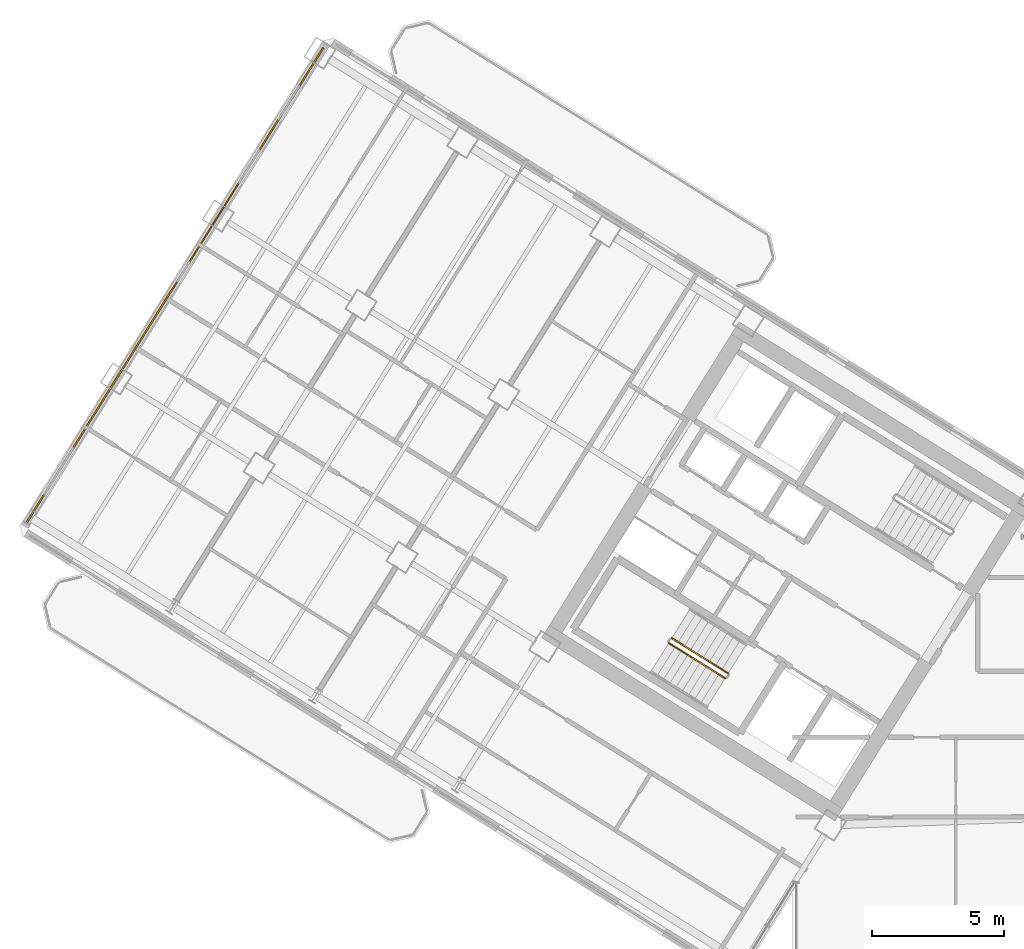
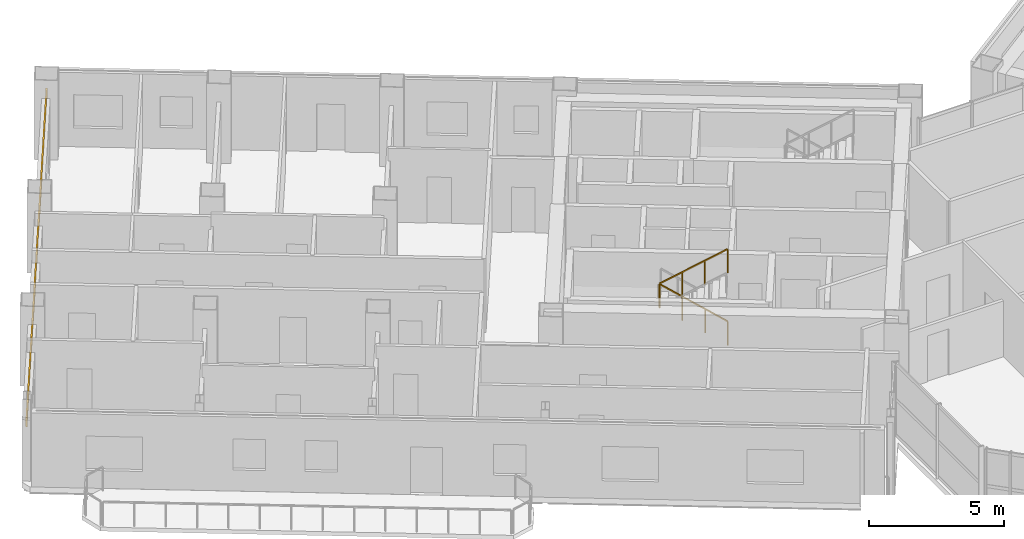
# One storey, part 24 of 29: 2 railings, 1 covering.
"""IFC4 building model written with IfcOpenShell, lengths in metres."""

import ifcopenshell
import ifcopenshell.guid

model = None  # the IFC model being written
_history = None  # IfcOwnerHistory: only IFC2X3 demands one
_inside = {}  # id of a spatial element -> (the spatial element, [elements in it])
_under = {}  # id of a project, library or spatial element -> (it, [spatial elements below it])
_declared = {}  # id of a project -> (the project, [libraries it declares])
_typed = {}  # id of a type object -> (the type object, [elements of that type])
_made_of = {}  # id of a material, layer set ... -> (it, [elements and type objects made of it])


def new_model(schema):
    """Start an empty IFC model of exactly this schema.

    Asked for "IFC4X3", IfcOpenShell would pick the latest addendum, in which some entities
    have other attributes; the version numbers below select the first issue.
    IFC2X3 requires an IfcOwnerHistory on every rooted entity: one is made here for all.
    """
    global model, _history
    if schema == "IFC4X3":
        model = ifcopenshell.file(schema_version=(4, 3, 0, 0))
    else:
        model = ifcopenshell.file(schema=schema)
    _inside.clear()
    _under.clear()
    _declared.clear()
    _typed.clear()
    _made_of.clear()
    _history = None
    if model.schema == "IFC2X3":
        org = make("IfcOrganization", Name="unknown")
        user = make(
            "IfcPersonAndOrganization",
            ThePerson=make("IfcPerson", FamilyName="unknown"),
            TheOrganization=org,
        )
        app = make(
            "IfcApplication",
            ApplicationDeveloper=org,
            Version="unknown",
            ApplicationFullName="unknown",
            ApplicationIdentifier="unknown",
        )
        _history = make(
            "IfcOwnerHistory",
            OwningUser=user,
            OwningApplication=app,
            ChangeAction="ADDED",
            CreationDate=0,
        )
    return model


def make(cls, **values):
    """One entity of the class cls with the attributes given. An attribute that is None is left unset."""
    return model.create_entity(
        cls, **{name: value for name, value in values.items() if value is not None}
    )


def rooted(cls, **values):
    """An entity with a GlobalId (a new one), such as an element, a storey or a relation."""
    return make(cls, GlobalId=ifcopenshell.guid.new(), OwnerHistory=_history, **values)


def si_unit(unit_type, name, prefix=None):
    """IfcSIUnit, for example si_unit("LENGTHUNIT", "METRE", prefix="MILLI")."""
    return make("IfcSIUnit", UnitType=unit_type, Prefix=prefix, Name=name)


def assignment(units):
    """IfcUnitAssignment: the units of a project."""
    return None if units is None else make("IfcUnitAssignment", Units=units)


def point(xyz):
    """IfcCartesianPoint."""
    return None if xyz is None else make("IfcCartesianPoint", Coordinates=xyz)


def direction(xyz):
    """IfcDirection."""
    return None if xyz is None else make("IfcDirection", DirectionRatios=xyz)


def frame(location, z_axis=None, x_axis=None):
    """IfcAxis2Placement3D, a coordinate frame: its origin and axes. An axis left out is left unset."""
    return make(
        "IfcAxis2Placement3D",
        Location=point(location),
        Axis=direction(z_axis),
        RefDirection=direction(x_axis),
    )


def frame_2d(location, x_axis=None):
    """IfcAxis2Placement2D, a coordinate frame in the plane: its origin and x axis."""
    return make(
        "IfcAxis2Placement2D", Location=point(location), RefDirection=direction(x_axis)
    )


def origin():
    """The frame at (0, 0, 0) with its axes left unset."""
    return frame((0.0, 0.0, 0.0))


def origin_2d():
    """The frame at (0, 0) in the plane with its x axis left unset."""
    return frame_2d((0.0, 0.0))


def place(relative_to, where):
    """IfcLocalPlacement: puts the frame where relative to a parent placement (None: the world)."""
    return make(
        "IfcLocalPlacement", PlacementRelTo=relative_to, RelativePlacement=where
    )


def context(
    kind, dimensions, precision=None, world=None, true_north=None, identifier=None
):
    """IfcGeometricRepresentationContext, for example the 3D "Model" context."""
    return make(
        "IfcGeometricRepresentationContext",
        ContextIdentifier=identifier,
        ContextType=kind,
        CoordinateSpaceDimension=dimensions,
        Precision=precision,
        WorldCoordinateSystem=world,
        TrueNorth=true_north,
    )


def subcontext(parent, identifier, kind, view, scale=None):
    """IfcGeometricRepresentationSubContext, for example "Body" below "Model"."""
    return make(
        "IfcGeometricRepresentationSubContext",
        ContextIdentifier=identifier,
        ContextType=kind,
        ParentContext=parent,
        TargetScale=scale,
        TargetView=view,
    )


def project(units=None, contexts=None):
    """IfcProject with its units and contexts."""
    return rooted(
        "IfcProject",
        Name="project",
        RepresentationContexts=contexts,
        UnitsInContext=assignment(units),
    )


def spatial(cls, under=None, at=None, **own):
    """A site, building, storey or space (cls), placed at a placement, below another one or the project."""
    s = rooted(cls, ObjectPlacement=at, **own)
    if under is not None:
        _under.setdefault(under.id(), (under, []))[1].append(s)
    return s


def profile(cls, at=None, kind="AREA", **sizes):
    """A parametric profile (cls). Its sizes go by their IFC names, for example OverallWidth=200.0."""
    return make(cls, ProfileType=kind, Position=at, **sizes)


def rectangle(**sizes):
    """IfcRectangleProfileDef."""
    return profile("IfcRectangleProfileDef", **sizes)


def extrude(swept, where, along, depth):
    """IfcExtrudedAreaSolid: the profile swept, set in the frame where, extruded along a direction by depth."""
    return make(
        "IfcExtrudedAreaSolid",
        SweptArea=swept,
        Position=where,
        ExtrudedDirection=direction(along),
        Depth=depth,
    )


def shape(context_of_items, identifier, shape_type, items):
    """IfcShapeRepresentation: the items that make up one representation, for example the "Body"."""
    return make(
        "IfcShapeRepresentation",
        ContextOfItems=context_of_items,
        RepresentationIdentifier=identifier,
        RepresentationType=shape_type,
        Items=items,
    )


def source(mapping_origin, context_of_items, identifier, shape_type, items):
    """IfcRepresentationMap: a shape defined once, which mapped items show again and again."""
    return make(
        "IfcRepresentationMap",
        MappingOrigin=mapping_origin,
        MappedRepresentation=shape(context_of_items, identifier, shape_type, items),
    )


def transform(
    local_origin,
    x_axis=None,
    y_axis=None,
    z_axis=None,
    scale=None,
    scale2=None,
    scale3=None,
    uniform=True,
):
    """IfcCartesianTransformationOperator3D, or its non-uniform kind. x_axis, y_axis, z_axis: its Axis1, 2, 3."""
    if uniform:
        return make(
            "IfcCartesianTransformationOperator3D",
            Axis1=direction(x_axis),
            Axis2=direction(y_axis),
            LocalOrigin=point(local_origin),
            Scale=scale,
            Axis3=direction(z_axis),
        )
    return make(
        "IfcCartesianTransformationOperator3DnonUniform",
        Axis1=direction(x_axis),
        Axis2=direction(y_axis),
        LocalOrigin=point(local_origin),
        Scale=scale,
        Axis3=direction(z_axis),
        Scale2=scale2,
        Scale3=scale3,
    )


def mapped(mapping_source, mapping_target):
    """IfcMappedItem: shows the shape of a source again, moved by a transform."""
    return make(
        "IfcMappedItem", MappingSource=mapping_source, MappingTarget=mapping_target
    )


def material(Name=None, Category=None):
    """IfcMaterial."""
    return make("IfcMaterial", Name=Name, Category=Category)


def layer(
    of_material, thickness, ventilated=None, Name=None, Category=None, Priority=None
):
    """IfcMaterialLayer: one layer of a wall or slab, of a material (None: an air gap)."""
    return make(
        "IfcMaterialLayer",
        Material=of_material,
        LayerThickness=thickness,
        IsVentilated=ventilated,
        Name=Name,
        Category=Category,
        Priority=Priority,
    )


def layer_set(layers, Name=None):
    """IfcMaterialLayerSet."""
    return make("IfcMaterialLayerSet", MaterialLayers=layers, LayerSetName=Name)


def made_of(thing, what):
    """Note that an element or type object is made of a material, layer set ...; save() writes the relation."""
    if what is not None:
        _made_of.setdefault(what.id(), (what, []))[1].append(thing)
    return thing


def type_object(cls, material=None, **own):
    """A type object (cls), such as IfcWallType, which elements share."""
    return made_of(rooted(cls, **own), material)


def element(
    cls,
    number,
    at=None,
    inside=None,
    cuts=None,
    type_object=None,
    material=None,
    context=None,
    identifier="Body",
    shape_type=None,
    held_by="IfcProductDefinitionShape",
    body=None,
    shapes=None,
    **own,
):
    """One element of the class cls, such as IfcWall. Its Tag is "e" and its number.

    at: its placement. inside: the storey or other place that contains it. cuts: it is an
    opening in that element (IfcRelVoidsElement). A single representation is given by context,
    identifier, shape_type and body (its items); several are given by shapes. held_by: the class
    of the entity that holds the representations. save() writes the other relations.
    """
    e = rooted(cls, Tag="e%d" % number, ObjectPlacement=at, **own)
    if body is not None:
        shapes = [shape(context, identifier, shape_type, body)]
    if shapes is not None:
        e.Representation = make(held_by, Representations=shapes)
    if inside is not None:
        _inside.setdefault(inside.id(), (inside, []))[1].append(e)
    if cuts is not None:
        rooted(
            "IfcRelVoidsElement", RelatingBuildingElement=cuts, RelatedOpeningElement=e
        )
    if type_object is not None:
        _typed.setdefault(type_object.id(), (type_object, []))[1].append(e)
    return made_of(e, material)


def aggregate(whole, parts):
    """IfcRelAggregates: a whole, such as a stair, and the parts it consists of."""
    return rooted("IfcRelAggregates", RelatingObject=whole, RelatedObjects=parts)


def save(model, path):
    """Write the relations noted so far, then the file.

    IfcRelAggregates (storeys below a building ...), IfcRelContainedInSpatialStructure (elements
    in a storey), IfcRelDefinesByType, IfcRelAssociatesMaterial and IfcRelDeclares: one each for
    every whole, place, type object, material and project.
    """
    for whole, parts in _under.values():
        aggregate(whole, parts)
    for where, things in _inside.values():
        rooted(
            "IfcRelContainedInSpatialStructure",
            RelatedElements=things,
            RelatingStructure=where,
        )
    for kind, things in _typed.values():
        rooted("IfcRelDefinesByType", RelatedObjects=things, RelatingType=kind)
    for what, things in _made_of.values():
        rooted("IfcRelAssociatesMaterial", RelatedObjects=things, RelatingMaterial=what)
    for by, libraries in _declared.values():
        rooted("IfcRelDeclares", RelatingContext=by, RelatedDefinitions=libraries)
    model.write(path)


model = new_model("IFC4")

# Units and contexts
model_context = context("Model", 3, precision=1e-05, world=origin(), true_north=direction((0.0, 1.0)))
body_context = subcontext(model_context, "Body", "Model", "MODEL_VIEW")
ifc_project = project(units=[si_unit("LENGTHUNIT", "METRE"), si_unit("AREAUNIT", "SQUARE_METRE"), si_unit("VOLUMEUNIT", "CUBIC_METRE"), si_unit("PLANEANGLEUNIT", "RADIAN"), si_unit("MASSUNIT", "GRAM", prefix="KILO")], contexts=[model_context])

# Site, building, storey
site_placement = place(None, origin())
site = spatial("IfcSite", under=ifc_project, at=site_placement, CompositionType="ELEMENT")
building_placement = place(site_placement, origin())
building = spatial("IfcBuilding", under=site, at=building_placement, Name="Tlacorven Tower", CompositionType="ELEMENT")
storey_placement = place(building_placement, frame((0.0, 0.0, 158.699951171875)))
storey = spatial("IfcBuildingStorey", under=building, at=storey_placement, Name="L40", CompositionType="ELEMENT", Elevation=158.699951171875)

# Covering
ifc_material_1 = material(Name="Precast concrete C45/55", Category="concrete")
ifc_layer = layer(ifc_material_1, 0.06005859375)
ifc_layer_set = layer_set([ifc_layer], Name="Precast concrete C45/55")
covering_type = type_object("IfcCoveringType", Name="CV-CLD-TERC", PredefinedType="CLADDING", material=ifc_layer_set)
shared_shape_1 = source(origin(), body_context, "Body", "SweptSolid", [
    extrude(rectangle(XDim=21.287353515625, YDim=0.06005859375, at=origin_2d()), origin(), (0.0, 0.0, 1.0), 0.419921875),
])
covering_placement = place(storey_placement, frame((8.13427734375, 32.606201171875, 2.35498046875), z_axis=(0.0, 0.0, 1.0), x_axis=(0.529918940959, 0.84804829816, 0.0)))
element("IfcCovering", 1, at=covering_placement, inside=storey, type_object=covering_type, Name="L40 Masonry-Frame Spandrel Cladding 2", PredefinedType="CLADDING", context=body_context, shape_type="MappedRepresentation", body=[
    mapped(shared_shape_1, transform((0.0, 0.0, 0.0), scale=1.0)),
])

# Railings
ifc_material_2 = material(Name="Aluminium and painted steel balustrade", Category="steel")
railing_type = type_object("IfcRailingType", Name="RL-GRD-1100", PredefinedType="GUARDRAIL", material=ifc_material_2)
shared_shape_2 = source(origin(), body_context, "Body", "SweptSolid", [
    extrude(rectangle(XDim=0.048095703125, YDim=0.048095703125, at=origin_2d()), frame((0.0, 0.0, 1.076171875), z_axis=(-0.713319727316, 0.445773895627, 0.540796265334), x_axis=(-0.529955395941, -0.84802551749, 0.0)), (0.0, 0.0, 1.0), 2.995849609375),
    extrude(rectangle(XDim=0.0419921875, YDim=0.0419921875, at=origin_2d()), origin(), (0.0, 0.0, 1.0), 1.052001953125),
    extrude(rectangle(XDim=0.0419921875, YDim=0.0419921875, at=origin_2d()), frame((-0.71240234375, 0.445068359375, 0.5400390625)), (0.0, 0.0, 1.0), 1.052001953125),
    extrude(rectangle(XDim=0.0419921875, YDim=0.0419921875, at=origin_2d()), frame((-1.424560546875, 0.890380859375, 1.080078125)), (0.0, 0.0, 1.0), 1.052001953125),
    extrude(rectangle(XDim=0.0419921875, YDim=0.0419921875, at=origin_2d()), frame((-2.136962890625, 1.33544921875, 1.6201171875)), (0.0, 0.0, 1.0), 1.052001953125),
])
railing_1_placement = place(storey_placement, frame((29.16064453125, 17.851806640625, 0.179931640625)))
element("IfcRailing", 2, at=railing_1_placement, inside=storey, type_object=railing_type, Name="L40 ST-W1 stair guard 1", PredefinedType="GUARDRAIL", context=body_context, shape_type="MappedRepresentation", body=[
    mapped(shared_shape_2, transform((0.0, 0.0, 0.0), scale=1.0)),
])
shared_shape_3 = source(origin(), body_context, "Body", "SweptSolid", [
    extrude(rectangle(XDim=0.048095703125, YDim=0.048095703125, at=origin_2d()), frame((0.0, 0.0, 1.076171875), z_axis=(0.713359751793, -0.4457479829, 0.540764828981), x_axis=(0.529911857636, 0.848052724267, 0.0)), (0.0, 0.0, 1.0), 2.99609375),
    extrude(rectangle(XDim=0.0419921875, YDim=0.0419921875, at=origin_2d()), origin(), (0.0, 0.0, 1.0), 1.052001953125),
    extrude(rectangle(XDim=0.0419921875, YDim=0.0419921875, at=origin_2d()), frame((0.71240234375, -0.445068359375, 0.5400390625)), (0.0, 0.0, 1.0), 1.052001953125),
    extrude(rectangle(XDim=0.0419921875, YDim=0.0419921875, at=origin_2d()), frame((1.4248046875, -0.890380859375, 1.080078125)), (0.0, 0.0, 1.0), 1.052001953125),
    extrude(rectangle(XDim=0.0419921875, YDim=0.0419921875, at=origin_2d()), frame((2.13720703125, -1.33544921875, 1.6201171875)), (0.0, 0.0, 1.0), 1.052001953125),
])
railing_2_placement = place(storey_placement, frame((26.906982421875, 19.000732421875, 1.97998046875)))
element("IfcRailing", 3, at=railing_2_placement, inside=storey, type_object=railing_type, Name="L40 ST-W1 stair guard 3", PredefinedType="GUARDRAIL", context=body_context, shape_type="MappedRepresentation", body=[
    mapped(shared_shape_3, transform((0.0, 0.0, 0.0), scale=1.0)),
])

save(model, "model.ifc")
